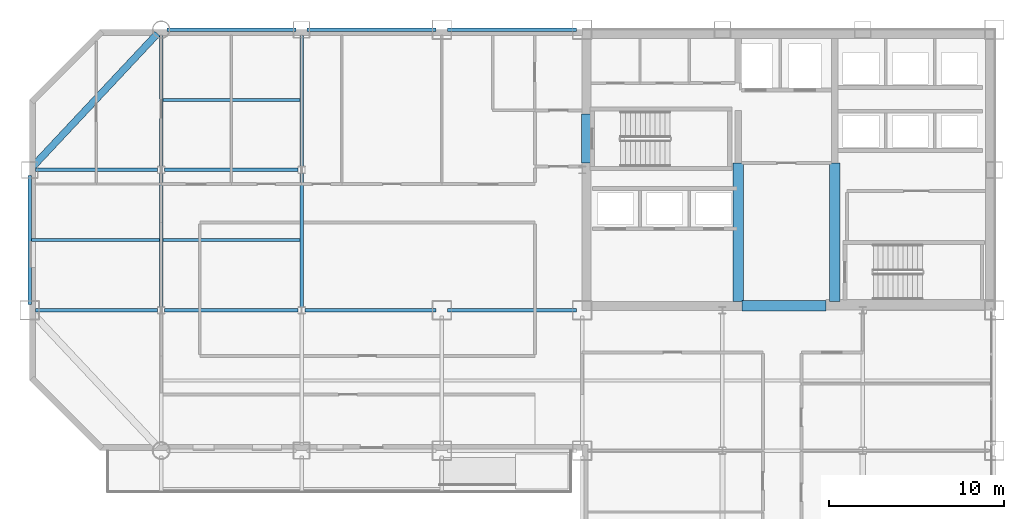
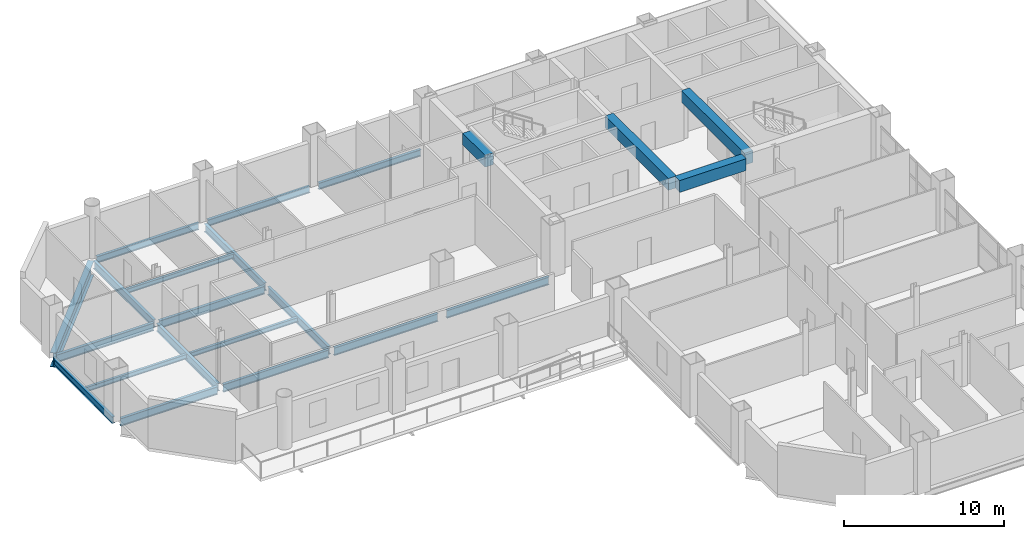
# One storey, part 9 of 16: 22 beams.
"""IFC4 building model written with IfcOpenShell, lengths in metres."""

from ifc_helpers import new_model, si_unit, direction, frame, origin, origin_2d, place, context, subcontext, project, spatial, rectangle, i_section, extrude, material, material_profile, profile_set, type_object, element, save


model = new_model("IFC4")

# Units and contexts
model_context = context("Model", 3, precision=1e-05, world=origin(), true_north=direction((0.0, 1.0)))
body_context = subcontext(model_context, "Body", "Model", "MODEL_VIEW")
ifc_project = project(units=[si_unit("LENGTHUNIT", "METRE"), si_unit("AREAUNIT", "SQUARE_METRE"), si_unit("VOLUMEUNIT", "CUBIC_METRE"), si_unit("PLANEANGLEUNIT", "RADIAN"), si_unit("MASSUNIT", "GRAM", prefix="KILO")], contexts=[model_context])

# Site, building, storey
site_placement = place(None, origin())
site = spatial("IfcSite", under=ifc_project, at=site_placement, CompositionType="ELEMENT")
building_placement = place(site_placement, origin())
building = spatial("IfcBuilding", under=site, at=building_placement, Name="Qianrong Seaharbour Tower", CompositionType="ELEMENT")
storey_placement = place(building_placement, frame((0.0, 0.0, 123.0)))
storey = spatial("IfcBuildingStorey", under=building, at=storey_placement, Name="L29", CompositionType="ELEMENT", Elevation=123.0)

# Beams
ifc_material_1 = material(Name="Structural steel SN490B", Category="steel")
ifc_material_profile_1 = material_profile(ifc_material_1, i_section(OverallWidth=0.199951171875, OverallDepth=0.60009765625, WebThickness=0.010986328125, FlangeThickness=0.01708984375, FilletRadius=0.02197265625, at=origin_2d()), Name="H600x200x11x17")
ifc_profile_set_1 = profile_set([ifc_material_profile_1], Name="Structural steel SN490B")
beam_type_1 = type_object("IfcBeamType", Name="BM-G-600", PredefinedType="BEAM", material=ifc_profile_set_1)
beam_1_placement = place(storey_placement, frame((9.320068359375, 36.0, -0.534912109375), z_axis=(1.0, 0.0, 0.0), x_axis=(0.0, 1.0, 0.0)))
element("IfcBeam", 1, at=beam_1_placement, inside=storey, type_object=beam_type_1, Name="L29 Primary Girder GF G2-G3", PredefinedType="BEAM", context=body_context, shape_type="SweptSolid", body=[
    extrude(i_section(OverallWidth=0.199951171875, OverallDepth=0.60009765625, WebThickness=0.010986328125, FlangeThickness=0.01708984375, FilletRadius=0.02197265625, at=origin_2d()), origin(), (0.0, 0.0, 1.0), 6.97998046875),
])
beam_2_placement = place(storey_placement, frame((16.699951171875, 36.0, -0.534912109375), z_axis=(1.0, 0.0, 0.0), x_axis=(0.0, 1.0, 0.0)))
element("IfcBeam", 2, at=beam_2_placement, inside=storey, type_object=beam_type_1, Name="L29 Primary Girder GF G3-G4", PredefinedType="BEAM", context=body_context, shape_type="SweptSolid", body=[
    extrude(i_section(OverallWidth=0.199951171875, OverallDepth=0.60009765625, WebThickness=0.010986328125, FlangeThickness=0.01708984375, FilletRadius=0.02197265625, at=origin_2d()), origin(), (0.0, 0.0, 1.0), 7.60009765625),
])
beam_3_placement = place(storey_placement, frame((24.699951171875, 36.0, -0.534912109375), z_axis=(1.0, 0.0, 0.0), x_axis=(0.0, 1.0, 0.0)))
element("IfcBeam", 3, at=beam_3_placement, inside=storey, type_object=beam_type_1, Name="L29 Primary Girder GF G4-G5", PredefinedType="BEAM", context=body_context, shape_type="SweptSolid", body=[
    extrude(i_section(OverallWidth=0.199951171875, OverallDepth=0.60009765625, WebThickness=0.010986328125, FlangeThickness=0.01708984375, FilletRadius=0.02197265625, at=origin_2d()), origin(), (0.0, 0.0, 1.0), 7.47998046875),
])
beam_4_placement = place(storey_placement, frame((32.820068359375, 36.0, -0.534912109375), z_axis=(1.0, 0.0, 0.0), x_axis=(0.0, 1.0, 0.0)))
element("IfcBeam", 4, at=beam_4_placement, inside=storey, type_object=beam_type_1, Name="L29 Primary Girder GF G5-G6", PredefinedType="BEAM", context=body_context, shape_type="SweptSolid", body=[
    extrude(i_section(OverallWidth=0.199951171875, OverallDepth=0.60009765625, WebThickness=0.010986328125, FlangeThickness=0.01708984375, FilletRadius=0.02197265625, at=origin_2d()), origin(), (0.0, 0.0, 1.0), 7.35986328125),
])
beam_5_placement = place(storey_placement, frame((9.320068359375, 44.0, -0.534912109375), z_axis=(1.0, 0.0, 0.0), x_axis=(0.0, 1.0, 0.0)))
element("IfcBeam", 5, at=beam_5_placement, inside=storey, type_object=beam_type_1, Name="L29 Primary Girder GG G2-G3", PredefinedType="BEAM", context=body_context, shape_type="SweptSolid", body=[
    extrude(i_section(OverallWidth=0.199951171875, OverallDepth=0.60009765625, WebThickness=0.010986328125, FlangeThickness=0.01708984375, FilletRadius=0.02197265625, at=origin_2d()), origin(), (0.0, 0.0, 1.0), 6.97998046875),
])
for number, where, z_axis, x_axis, name in (
    (6, (16.699951171875, 44.0, -0.534912109375), (1.0, 0.0, 0.0), (0.0, 1.0, 0.0), "L29 Primary Girder GG G3-G4"),
    (7, (16.5, 36.199951171875, -0.534912109375), (0.0, 1.0, 0.0), (-1.0, 0.0, 0.0), "L29 Primary Girder G3 GF-GG"),
):
    element("IfcBeam", number, at=place(storey_placement, frame(where, z_axis=z_axis, x_axis=x_axis)), inside=storey, type_object=beam_type_1, Name=name, PredefinedType="BEAM", context=body_context, shape_type="SweptSolid", body=[
        extrude(i_section(OverallWidth=0.199951171875, OverallDepth=0.60009765625, WebThickness=0.010986328125, FlangeThickness=0.01708984375, FilletRadius=0.02197265625, at=origin_2d()), origin(), (0.0, 0.0, 1.0), 7.60009765625),
    ])
beam_6_placement = place(storey_placement, frame((16.5, 44.199951171875, -0.534912109375), z_axis=(0.0, 1.0, 0.0), x_axis=(-1.0, 0.0, 0.0)))
element("IfcBeam", 8, at=beam_6_placement, inside=storey, type_object=beam_type_1, Name="L29 Primary Girder G3 GG-GH", PredefinedType="BEAM", context=body_context, shape_type="SweptSolid", body=[
    extrude(i_section(OverallWidth=0.199951171875, OverallDepth=0.60009765625, WebThickness=0.010986328125, FlangeThickness=0.01708984375, FilletRadius=0.02197265625, at=origin_2d()), origin(), (0.0, 0.0, 1.0), 7.47998046875),
])
beam_7_placement = place(storey_placement, frame((24.5, 36.199951171875, -0.534912109375), z_axis=(0.0, 1.0, 0.0), x_axis=(-1.0, 0.0, 0.0)))
element("IfcBeam", 9, at=beam_7_placement, inside=storey, type_object=beam_type_1, Name="L29 Primary Girder G4 GF-GG", PredefinedType="BEAM", context=body_context, shape_type="SweptSolid", body=[
    extrude(i_section(OverallWidth=0.199951171875, OverallDepth=0.60009765625, WebThickness=0.010986328125, FlangeThickness=0.01708984375, FilletRadius=0.02197265625, at=origin_2d()), origin(), (0.0, 0.0, 1.0), 7.60009765625),
])
beam_8_placement = place(storey_placement, frame((24.5, 44.199951171875, -0.534912109375), z_axis=(0.0, 1.0, 0.0), x_axis=(-1.0, 0.0, 0.0)))
element("IfcBeam", 10, at=beam_8_placement, inside=storey, type_object=beam_type_1, Name="L29 Primary Girder G4 GG-GH", PredefinedType="BEAM", context=body_context, shape_type="SweptSolid", body=[
    extrude(i_section(OverallWidth=0.199951171875, OverallDepth=0.60009765625, WebThickness=0.010986328125, FlangeThickness=0.01708984375, FilletRadius=0.02197265625, at=origin_2d()), origin(), (0.0, 0.0, 1.0), 7.47998046875),
])
ifc_material_2 = material(Name="Structural steel SN400B", Category="steel")
ifc_material_profile_2 = material_profile(ifc_material_2, i_section(OverallWidth=0.175048828125, OverallDepth=0.35009765625, WebThickness=0.007080078125, FlangeThickness=0.010986328125, FilletRadius=0.013916015625, at=origin_2d()), Name="H350x175x7x11")
ifc_profile_set_2 = profile_set([ifc_material_profile_2], Name="Structural steel SN400B")
beam_type_2 = type_object("IfcBeamType", Name="BM-J-350", PredefinedType="JOIST", material=ifc_profile_set_2)
beam_9_placement = place(storey_placement, frame((9.10009765625, 40.0, -0.409912109375), z_axis=(1.0, 0.0, 0.0), x_axis=(0.0, 1.0, 0.0)))
element("IfcBeam", 11, at=beam_9_placement, inside=storey, type_object=beam_type_2, Name="L29 Composite Floor Joist G2-G3/GF-GG", PredefinedType="JOIST", context=body_context, shape_type="SweptSolid", body=[
    extrude(i_section(OverallWidth=0.175048828125, OverallDepth=0.35009765625, WebThickness=0.007080078125, FlangeThickness=0.010986328125, FilletRadius=0.013916015625, at=origin_2d()), origin(), (0.0, 0.0, 1.0), 7.2998046875),
])
for number, where, z_axis, x_axis, name in (
    (12, (16.60009765625, 40.0, -0.409912109375), (1.0, 0.0, 0.0), (0.0, 1.0, 0.0), "L29 Composite Floor Joist G3-G4/GF-GG"),
    (13, (16.60009765625, 48.0, -0.409912109375), (1.0, 0.0, 0.0), (0.0, 1.0, 0.0), "L29 Composite Floor Joist G3-G4/GG-GH"),
):
    element("IfcBeam", number, at=place(storey_placement, frame(where, z_axis=z_axis, x_axis=x_axis)), inside=storey, type_object=beam_type_2, Name=name, PredefinedType="JOIST", context=body_context, shape_type="SweptSolid", body=[
        extrude(i_section(OverallWidth=0.175048828125, OverallDepth=0.35009765625, WebThickness=0.007080078125, FlangeThickness=0.010986328125, FilletRadius=0.013916015625, at=origin_2d()), origin(), (0.0, 0.0, 1.0), 7.7998046875),
    ])
ifc_material_3 = material(Name="Concrete C70/85", Category="concrete")
ifc_material_profile_3 = material_profile(ifc_material_3, rectangle(XDim=0.60009765625, YDim=0.89990234375, at=origin_2d()), Name="RC600x900")
ifc_profile_set_3 = profile_set([ifc_material_profile_3], Name="Concrete C70/85")
beam_type_3 = type_object("IfcBeamType", Name="BM-LINTEL-900", PredefinedType="LINTEL", material=ifc_profile_set_3)
beam_10_placement = place(storey_placement, frame((40.75, 44.39990234375, 3.31494140625), z_axis=(0.0, 1.0, 0.0), x_axis=(-1.0, 0.0, 0.0)))
element("IfcBeam", 14, at=beam_10_placement, inside=storey, type_object=beam_type_3, Name="L29 Core Coupling Lintel Beam West", PredefinedType="LINTEL", context=body_context, shape_type="SweptSolid", body=[
    extrude(rectangle(XDim=0.60009765625, YDim=0.89990234375, at=origin_2d()), origin(), (0.0, 0.0, 1.0), 2.800048828125),
])
beam_11_placement = place(storey_placement, frame((49.60009765625, 36.25, 3.31494140625), z_axis=(1.0, 0.0, 0.0), x_axis=(0.0, 1.0, 0.0)))
element("IfcBeam", 15, at=beam_11_placement, inside=storey, type_object=beam_type_3, Name="L29 Core Coupling Lintel Beam CBC", PredefinedType="LINTEL", context=body_context, shape_type="SweptSolid", body=[
    extrude(rectangle(XDim=0.60009765625, YDim=0.89990234375, at=origin_2d()), origin(), (0.0, 0.0, 1.0), 4.7998046875),
])
for number, where, z_axis, x_axis, name in (
    (16, (49.39990234375, 36.5, 3.31494140625), (0.0, 1.0, 0.0), (-1.0, 0.0, 0.0), "L29 Internal Core Coupling Beam IW1"),
    (17, (54.89990234375, 36.5, 3.31494140625), (0.0, 1.0, 0.0), (-1.0, 0.0, 0.0), "L29 Internal Core Coupling Beam IW2"),
):
    element("IfcBeam", number, at=place(storey_placement, frame(where, z_axis=z_axis, x_axis=x_axis)), inside=storey, type_object=beam_type_3, Name=name, PredefinedType="LINTEL", context=body_context, shape_type="SweptSolid", body=[
        extrude(rectangle(XDim=0.60009765625, YDim=0.89990234375, at=origin_2d()), origin(), (0.0, 0.0, 1.0), 7.89990234375),
    ])
ifc_material_profile_4 = material_profile(ifc_material_1, i_section(OverallWidth=0.199951171875, OverallDepth=0.5, WebThickness=0.010009765625, FlangeThickness=0.01611328125, FilletRadius=0.02001953125, at=origin_2d()), Name="H500x200x10x16")
ifc_profile_set_4 = profile_set([ifc_material_profile_4], Name="Structural steel SN490B")
beam_type_4 = type_object("IfcBeamType", Name="BM-SP-500", PredefinedType="SPANDREL", material=ifc_profile_set_4)
for number, where, z_axis, x_axis, name in (
    (18, (16.820068359375, 52.0, -0.485107421875), (1.0, 0.0, 0.0), (0.0, 1.0, 0.0), "L29 Spandrel Girder GH G3-G4"),
    (19, (24.820068359375, 52.0, -0.485107421875), (1.0, 0.0, 0.0), (0.0, 1.0, 0.0), "L29 Spandrel Girder GH G4-G5"),
    (20, (32.820068359375, 52.0, -0.485107421875), (1.0, 0.0, 0.0), (0.0, 1.0, 0.0), "L29 Spandrel Girder GH G5-G6"),
    (21, (9.0, 36.320068359375, -0.485107421875), (0.0, 1.0, 0.0), (-1.0, 0.0, 0.0), "L29 Spandrel Girder G2 GF-GG"),
):
    element("IfcBeam", number, at=place(storey_placement, frame(where, z_axis=z_axis, x_axis=x_axis)), inside=storey, type_object=beam_type_4, Name=name, PredefinedType="SPANDREL", context=body_context, shape_type="SweptSolid", body=[
        extrude(i_section(OverallWidth=0.199951171875, OverallDepth=0.5, WebThickness=0.010009765625, FlangeThickness=0.01611328125, FilletRadius=0.02001953125, at=origin_2d()), origin(), (0.0, 0.0, 1.0), 7.35986328125),
    ])
ifc_material_profile_5 = material_profile(ifc_material_1, i_section(OverallWidth=0.39990234375, OverallDepth=1.10009765625, WebThickness=0.02001953125, FlangeThickness=0.035888671875, at=origin_2d()), Name="BH1100x400x20x36")
ifc_profile_set_5 = profile_set([ifc_material_profile_5], Name="Structural steel SN490B")
beam_type_5 = type_object("IfcBeamType", Name="BM-TG-1100", PredefinedType="BEAM", material=ifc_profile_set_5)
beam_12_placement = place(storey_placement, frame((16.28125, 51.7666015625, -0.784912109375), z_axis=(-0.683947420573, -0.729531305628, 0.0), x_axis=(0.729531305628, -0.683947420573, 0.0)))
element("IfcBeam", 22, at=beam_12_placement, inside=storey, type_object=beam_type_5, Name="L29 Chamfer Corner Spandrel Girder G2/GH", PredefinedType="BEAM", context=body_context, shape_type="SweptSolid", body=[
    extrude(i_section(OverallWidth=0.39990234375, OverallDepth=1.10009765625, WebThickness=0.02001953125, FlangeThickness=0.035888671875, at=origin_2d()), origin(), (0.0, 0.0, 1.0), 10.326171875),
])

save(model, "model.ifc")
